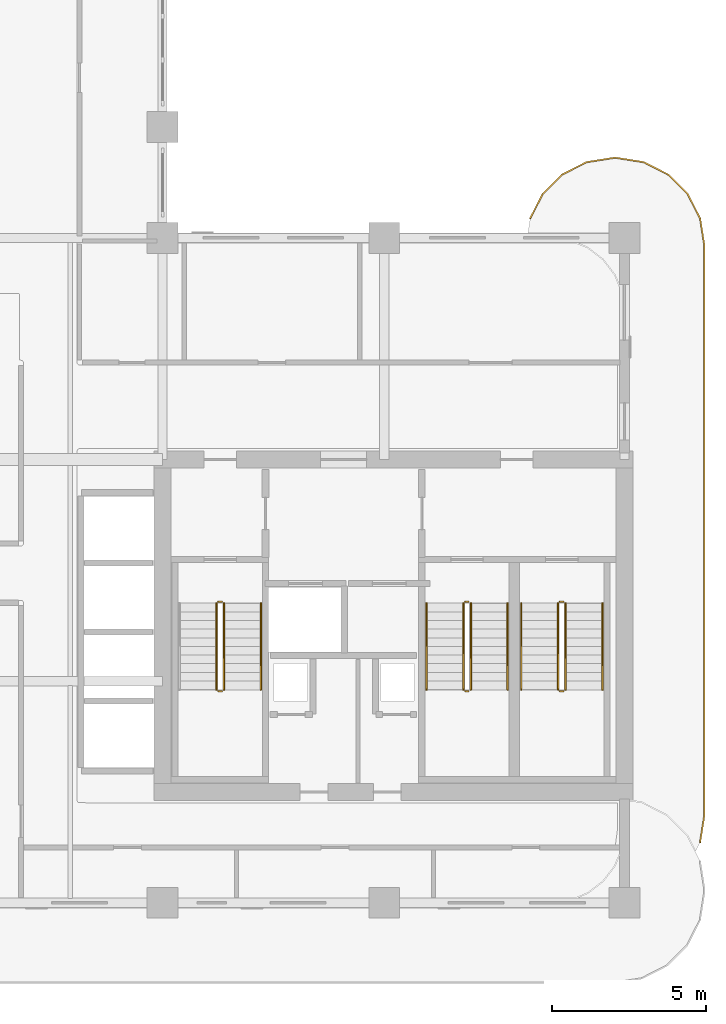
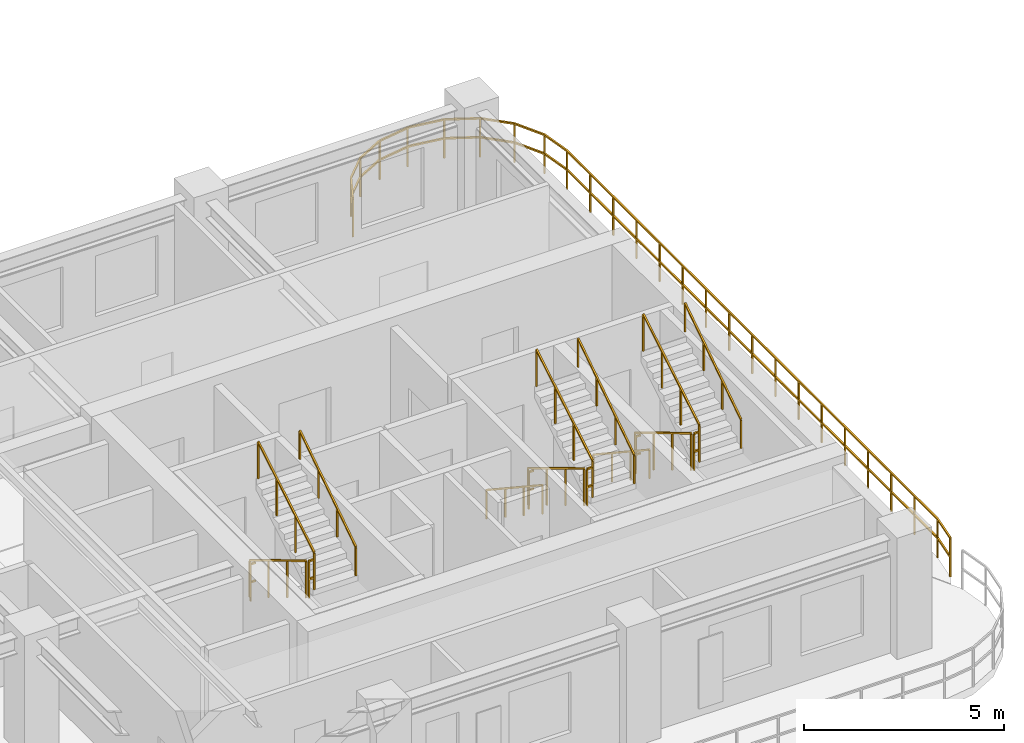
# One storey, part 19 of 20: 18 railings.
"""IFC4 building model written with IfcOpenShell, lengths in metres."""

import ifcopenshell
import ifcopenshell.guid

model = None  # the IFC model being written
_history = None  # IfcOwnerHistory: only IFC2X3 demands one
_inside = {}  # id of a spatial element -> (the spatial element, [elements in it])
_under = {}  # id of a project, library or spatial element -> (it, [spatial elements below it])
_declared = {}  # id of a project -> (the project, [libraries it declares])
_typed = {}  # id of a type object -> (the type object, [elements of that type])
_made_of = {}  # id of a material, layer set ... -> (it, [elements and type objects made of it])


def new_model(schema):
    """Start an empty IFC model of exactly this schema.

    Asked for "IFC4X3", IfcOpenShell would pick the latest addendum, in which some entities
    have other attributes; the version numbers below select the first issue.
    IFC2X3 requires an IfcOwnerHistory on every rooted entity: one is made here for all.
    """
    global model, _history
    if schema == "IFC4X3":
        model = ifcopenshell.file(schema_version=(4, 3, 0, 0))
    else:
        model = ifcopenshell.file(schema=schema)
    _inside.clear()
    _under.clear()
    _declared.clear()
    _typed.clear()
    _made_of.clear()
    _history = None
    if model.schema == "IFC2X3":
        org = make("IfcOrganization", Name="unknown")
        user = make(
            "IfcPersonAndOrganization",
            ThePerson=make("IfcPerson", FamilyName="unknown"),
            TheOrganization=org,
        )
        app = make(
            "IfcApplication",
            ApplicationDeveloper=org,
            Version="unknown",
            ApplicationFullName="unknown",
            ApplicationIdentifier="unknown",
        )
        _history = make(
            "IfcOwnerHistory",
            OwningUser=user,
            OwningApplication=app,
            ChangeAction="ADDED",
            CreationDate=0,
        )
    return model


def make(cls, **values):
    """One entity of the class cls with the attributes given. An attribute that is None is left unset."""
    return model.create_entity(
        cls, **{name: value for name, value in values.items() if value is not None}
    )


def rooted(cls, **values):
    """An entity with a GlobalId (a new one), such as an element, a storey or a relation."""
    return make(cls, GlobalId=ifcopenshell.guid.new(), OwnerHistory=_history, **values)


def si_unit(unit_type, name, prefix=None):
    """IfcSIUnit, for example si_unit("LENGTHUNIT", "METRE", prefix="MILLI")."""
    return make("IfcSIUnit", UnitType=unit_type, Prefix=prefix, Name=name)


def derived_unit(unit_type, elements):
    """IfcDerivedUnit: a product of units, each with its exponent."""
    return make(
        "IfcDerivedUnit",
        Elements=[
            make("IfcDerivedUnitElement", Unit=unit, Exponent=power)
            for unit, power in elements
        ],
        UnitType=unit_type,
    )


def assignment(units):
    """IfcUnitAssignment: the units of a project."""
    return None if units is None else make("IfcUnitAssignment", Units=units)


def point(xyz):
    """IfcCartesianPoint."""
    return None if xyz is None else make("IfcCartesianPoint", Coordinates=xyz)


def direction(xyz):
    """IfcDirection."""
    return None if xyz is None else make("IfcDirection", DirectionRatios=xyz)


def frame(location, z_axis=None, x_axis=None):
    """IfcAxis2Placement3D, a coordinate frame: its origin and axes. An axis left out is left unset."""
    return make(
        "IfcAxis2Placement3D",
        Location=point(location),
        Axis=direction(z_axis),
        RefDirection=direction(x_axis),
    )


def frame_2d(location, x_axis=None):
    """IfcAxis2Placement2D, a coordinate frame in the plane: its origin and x axis."""
    return make(
        "IfcAxis2Placement2D", Location=point(location), RefDirection=direction(x_axis)
    )


def origin():
    """The frame at (0, 0, 0) with its axes left unset."""
    return frame((0.0, 0.0, 0.0))


def origin_2d():
    """The frame at (0, 0) in the plane with its x axis left unset."""
    return frame_2d((0.0, 0.0))


def place(relative_to, where):
    """IfcLocalPlacement: puts the frame where relative to a parent placement (None: the world)."""
    return make(
        "IfcLocalPlacement", PlacementRelTo=relative_to, RelativePlacement=where
    )


def context(
    kind, dimensions, precision=None, world=None, true_north=None, identifier=None
):
    """IfcGeometricRepresentationContext, for example the 3D "Model" context."""
    return make(
        "IfcGeometricRepresentationContext",
        ContextIdentifier=identifier,
        ContextType=kind,
        CoordinateSpaceDimension=dimensions,
        Precision=precision,
        WorldCoordinateSystem=world,
        TrueNorth=true_north,
    )


def subcontext(parent, identifier, kind, view, scale=None):
    """IfcGeometricRepresentationSubContext, for example "Body" below "Model"."""
    return make(
        "IfcGeometricRepresentationSubContext",
        ContextIdentifier=identifier,
        ContextType=kind,
        ParentContext=parent,
        TargetScale=scale,
        TargetView=view,
    )


def project(units=None, contexts=None):
    """IfcProject with its units and contexts."""
    return rooted(
        "IfcProject",
        Name="project",
        RepresentationContexts=contexts,
        UnitsInContext=assignment(units),
    )


def spatial(cls, under=None, at=None, **own):
    """A site, building, storey or space (cls), placed at a placement, below another one or the project."""
    s = rooted(cls, ObjectPlacement=at, **own)
    if under is not None:
        _under.setdefault(under.id(), (under, []))[1].append(s)
    return s


def profile(cls, at=None, kind="AREA", **sizes):
    """A parametric profile (cls). Its sizes go by their IFC names, for example OverallWidth=200.0."""
    return make(cls, ProfileType=kind, Position=at, **sizes)


def rectangle(**sizes):
    """IfcRectangleProfileDef."""
    return profile("IfcRectangleProfileDef", **sizes)


def extrude(swept, where, along, depth):
    """IfcExtrudedAreaSolid: the profile swept, set in the frame where, extruded along a direction by depth."""
    return make(
        "IfcExtrudedAreaSolid",
        SweptArea=swept,
        Position=where,
        ExtrudedDirection=direction(along),
        Depth=depth,
    )


def shape(context_of_items, identifier, shape_type, items):
    """IfcShapeRepresentation: the items that make up one representation, for example the "Body"."""
    return make(
        "IfcShapeRepresentation",
        ContextOfItems=context_of_items,
        RepresentationIdentifier=identifier,
        RepresentationType=shape_type,
        Items=items,
    )


def material(Name=None, Category=None):
    """IfcMaterial."""
    return make("IfcMaterial", Name=Name, Category=Category)


def made_of(thing, what):
    """Note that an element or type object is made of a material, layer set ...; save() writes the relation."""
    if what is not None:
        _made_of.setdefault(what.id(), (what, []))[1].append(thing)
    return thing


def type_object(cls, material=None, **own):
    """A type object (cls), such as IfcWallType, which elements share."""
    return made_of(rooted(cls, **own), material)


def element(
    cls,
    number,
    at=None,
    inside=None,
    cuts=None,
    type_object=None,
    material=None,
    context=None,
    identifier="Body",
    shape_type=None,
    held_by="IfcProductDefinitionShape",
    body=None,
    shapes=None,
    **own,
):
    """One element of the class cls, such as IfcWall. Its Tag is "e" and its number.

    at: its placement. inside: the storey or other place that contains it. cuts: it is an
    opening in that element (IfcRelVoidsElement). A single representation is given by context,
    identifier, shape_type and body (its items); several are given by shapes. held_by: the class
    of the entity that holds the representations. save() writes the other relations.
    """
    e = rooted(cls, Tag="e%d" % number, ObjectPlacement=at, **own)
    if body is not None:
        shapes = [shape(context, identifier, shape_type, body)]
    if shapes is not None:
        e.Representation = make(held_by, Representations=shapes)
    if inside is not None:
        _inside.setdefault(inside.id(), (inside, []))[1].append(e)
    if cuts is not None:
        rooted(
            "IfcRelVoidsElement", RelatingBuildingElement=cuts, RelatedOpeningElement=e
        )
    if type_object is not None:
        _typed.setdefault(type_object.id(), (type_object, []))[1].append(e)
    return made_of(e, material)


def aggregate(whole, parts):
    """IfcRelAggregates: a whole, such as a stair, and the parts it consists of."""
    return rooted("IfcRelAggregates", RelatingObject=whole, RelatedObjects=parts)


def save(model, path):
    """Write the relations noted so far, then the file.

    IfcRelAggregates (storeys below a building ...), IfcRelContainedInSpatialStructure (elements
    in a storey), IfcRelDefinesByType, IfcRelAssociatesMaterial and IfcRelDeclares: one each for
    every whole, place, type object, material and project.
    """
    for whole, parts in _under.values():
        aggregate(whole, parts)
    for where, things in _inside.values():
        rooted(
            "IfcRelContainedInSpatialStructure",
            RelatedElements=things,
            RelatingStructure=where,
        )
    for kind, things in _typed.values():
        rooted("IfcRelDefinesByType", RelatedObjects=things, RelatingType=kind)
    for what, things in _made_of.values():
        rooted("IfcRelAssociatesMaterial", RelatedObjects=things, RelatingMaterial=what)
    for by, libraries in _declared.values():
        rooted("IfcRelDeclares", RelatingContext=by, RelatedDefinitions=libraries)
    model.write(path)


model = new_model("IFC4")

# Units and contexts
model_context = context("Model", 3, precision=1e-05, world=origin(), true_north=direction((0.0, 1.0)))
body_context = subcontext(model_context, "Body", "Model", "MODEL_VIEW")
ifc_project = project(units=[si_unit("LENGTHUNIT", "METRE"), si_unit("AREAUNIT", "SQUARE_METRE"), si_unit("VOLUMEUNIT", "CUBIC_METRE"), si_unit("PLANEANGLEUNIT", "RADIAN"), si_unit("MASSUNIT", "GRAM", prefix="KILO"), si_unit("THERMODYNAMICTEMPERATUREUNIT", "KELVIN"), si_unit("POWERUNIT", "WATT"), derived_unit("THERMALTRANSMITTANCEUNIT", [(si_unit("POWERUNIT", "WATT"), 1), (si_unit("AREAUNIT", "SQUARE_METRE"), -1), (si_unit("THERMODYNAMICTEMPERATUREUNIT", "KELVIN"), -1)])], contexts=[model_context])

# Site, building, storey
site_placement = place(None, origin())
site = spatial("IfcSite", under=ifc_project, at=site_placement, CompositionType="ELEMENT")
building_placement = place(site_placement, origin())
building = spatial("IfcBuilding", under=site, at=building_placement, Name="Zahravan Archway Hotel and Residences", CompositionType="ELEMENT")
storey_placement = place(building_placement, frame((0.0, 0.0, 115.5)))
storey = spatial("IfcBuildingStorey", under=building, at=storey_placement, Name="L28", CompositionType="ELEMENT", Elevation=115.5)

# Railings
ifc_material_1 = material(Name="Bronze & Laminated Glass Balustrade", Category="glass")
railing_type_1 = type_object("IfcRailingType", Name="RL-BAL-1200", PredefinedType="BALUSTRADE", material=ifc_material_1)
railing_1_placement = place(storey_placement, frame((46.739501953125, 22.230712890625, 0.0)))
element("IfcRailing", 1, at=railing_1_placement, inside=storey, type_object=railing_type_1, Name="L28 Balustrade RL-SLB-BAL-L28-EA-1", PredefinedType="BALUSTRADE", context=body_context, shape_type="SweptSolid", body=[
    extrude(rectangle(XDim=0.048095703125, YDim=0.048095703125, at=origin_2d()), frame((0.0, 0.0, 1.17578125), z_axis=(0.453991409995, 0.891006060389, 0.0), x_axis=(-0.891006060389, 0.453991409995, 0.0)), (0.0, 0.0, 1.0), 0.8916015625),
    extrude(rectangle(XDim=0.048095703125, YDim=0.048095703125, at=origin_2d()), frame((0.0, 0.0, 0.60009765625), z_axis=(0.453991409995, 0.891006060389, 0.0), x_axis=(-0.891006060389, 0.453991409995, 0.0)), (0.0, 0.0, 1.0), 0.8916015625),
    extrude(rectangle(XDim=0.048095703125, YDim=0.048095703125, at=origin_2d()), frame((0.40478515625, 0.79443359375, 1.17578125), z_axis=(0.707106781187, 0.707106781187, 0.0), x_axis=(-0.707106781187, 0.707106781187, 0.0)), (0.0, 0.0, 1.0), 0.891845703125),
    extrude(rectangle(XDim=0.048095703125, YDim=0.048095703125, at=origin_2d()), frame((0.40478515625, 0.79443359375, 0.60009765625), z_axis=(0.707106781187, 0.707106781187, 0.0), x_axis=(-0.707106781187, 0.707106781187, 0.0)), (0.0, 0.0, 1.0), 0.891845703125),
    extrude(rectangle(XDim=0.048095703125, YDim=0.048095703125, at=origin_2d()), frame((1.035400390625, 1.425048828125, 1.17578125), z_axis=(0.891006060389, 0.453991409995, 0.0), x_axis=(-0.453991409995, 0.891006060389, 0.0)), (0.0, 0.0, 1.0), 0.8916015625),
    extrude(rectangle(XDim=0.048095703125, YDim=0.048095703125, at=origin_2d()), frame((1.035400390625, 1.425048828125, 0.60009765625), z_axis=(0.891006060389, 0.453991409995, 0.0), x_axis=(-0.453991409995, 0.891006060389, 0.0)), (0.0, 0.0, 1.0), 0.8916015625),
    extrude(rectangle(XDim=0.048095703125, YDim=0.048095703125, at=origin_2d()), frame((1.829833984375, 1.829833984375, 1.17578125), z_axis=(0.987700720307, 0.156356282588, 0.0), x_axis=(-0.156356282588, 0.987700720307, 0.0)), (0.0, 0.0, 1.0), 0.8916015625),
    extrude(rectangle(XDim=0.048095703125, YDim=0.048095703125, at=origin_2d()), frame((1.829833984375, 1.829833984375, 0.60009765625), z_axis=(0.987700720307, 0.156356282588, 0.0), x_axis=(-0.156356282588, 0.987700720307, 0.0)), (0.0, 0.0, 1.0), 0.8916015625),
    extrude(rectangle(XDim=0.048095703125, YDim=0.048095703125, at=origin_2d()), frame((2.71044921875, 1.96923828125, 1.17578125), z_axis=(1.0, 0.0, 0.0), x_axis=(0.0, 1.0, 0.0)), (0.0, 0.0, 1.0), 0.10009765625),
    extrude(rectangle(XDim=0.048095703125, YDim=0.048095703125, at=origin_2d()), frame((2.71044921875, 1.96923828125, 0.60009765625), z_axis=(1.0, 0.0, 0.0), x_axis=(0.0, 1.0, 0.0)), (0.0, 0.0, 1.0), 0.10009765625),
    extrude(rectangle(XDim=0.048095703125, YDim=0.048095703125, at=origin_2d()), frame((2.810546875, 1.96923828125, 1.17578125), z_axis=(0.987700720307, -0.156356282588, 0.0), x_axis=(0.156356282588, 0.987700720307, 0.0)), (0.0, 0.0, 1.0), 0.8916015625),
    extrude(rectangle(XDim=0.048095703125, YDim=0.048095703125, at=origin_2d()), frame((2.810546875, 1.96923828125, 0.60009765625), z_axis=(0.987700720307, -0.156356282588, 0.0), x_axis=(0.156356282588, 0.987700720307, 0.0)), (0.0, 0.0, 1.0), 0.8916015625),
    extrude(rectangle(XDim=0.048095703125, YDim=0.048095703125, at=origin_2d()), frame((3.691162109375, 1.829833984375, 1.17578125), z_axis=(0.891006060389, -0.453991409995, 0.0), x_axis=(0.453991409995, 0.891006060389, 0.0)), (0.0, 0.0, 1.0), 0.8916015625),
    extrude(rectangle(XDim=0.048095703125, YDim=0.048095703125, at=origin_2d()), frame((3.691162109375, 1.829833984375, 0.60009765625), z_axis=(0.891006060389, -0.453991409995, 0.0), x_axis=(0.453991409995, 0.891006060389, 0.0)), (0.0, 0.0, 1.0), 0.8916015625),
    extrude(rectangle(XDim=0.048095703125, YDim=0.048095703125, at=origin_2d()), frame((4.485595703125, 1.425048828125, 1.17578125), z_axis=(0.707106781187, -0.707106781187, 0.0), x_axis=(0.707106781187, 0.707106781187, 0.0)), (0.0, 0.0, 1.0), 0.891845703125),
    extrude(rectangle(XDim=0.048095703125, YDim=0.048095703125, at=origin_2d()), frame((4.485595703125, 1.425048828125, 0.60009765625), z_axis=(0.707106781187, -0.707106781187, 0.0), x_axis=(0.707106781187, 0.707106781187, 0.0)), (0.0, 0.0, 1.0), 0.891845703125),
    extrude(rectangle(XDim=0.048095703125, YDim=0.048095703125, at=origin_2d()), frame((5.1162109375, 0.79443359375, 1.17578125), z_axis=(0.453991409995, -0.891006060389, 0.0), x_axis=(0.891006060389, 0.453991409995, 0.0)), (0.0, 0.0, 1.0), 0.8916015625),
    extrude(rectangle(XDim=0.048095703125, YDim=0.048095703125, at=origin_2d()), frame((5.1162109375, 0.79443359375, 0.60009765625), z_axis=(0.453991409995, -0.891006060389, 0.0), x_axis=(0.891006060389, 0.453991409995, 0.0)), (0.0, 0.0, 1.0), 0.8916015625),
    extrude(rectangle(XDim=0.048095703125, YDim=0.048095703125, at=origin_2d()), frame((5.52099609375, 0.0, 1.17578125), z_axis=(0.156356282588, -0.987700720307, 0.0), x_axis=(0.987700720307, 0.156356282588, 0.0)), (0.0, 0.0, 1.0), 0.8916015625),
    extrude(rectangle(XDim=0.048095703125, YDim=0.048095703125, at=origin_2d()), frame((5.52099609375, 0.0, 0.60009765625), z_axis=(0.156356282588, -0.987700720307, 0.0), x_axis=(0.987700720307, 0.156356282588, 0.0)), (0.0, 0.0, 1.0), 0.8916015625),
    extrude(rectangle(XDim=0.048095703125, YDim=0.048095703125, at=origin_2d()), frame((5.660400390625, -0.880615234375, 1.17578125), z_axis=(0.0, -1.0, 0.0), x_axis=(1.0, 0.0, 0.0)), (0.0, 0.0, 1.0), 18.5),
    extrude(rectangle(XDim=0.048095703125, YDim=0.048095703125, at=origin_2d()), frame((5.660400390625, -0.880615234375, 0.60009765625), z_axis=(0.0, -1.0, 0.0), x_axis=(1.0, 0.0, 0.0)), (0.0, 0.0, 1.0), 18.5),
    extrude(rectangle(XDim=0.048095703125, YDim=0.048095703125, at=origin_2d()), frame((5.660400390625, -19.380615234375, 1.17578125), z_axis=(-0.156314005608, -0.987707411965, 0.0), x_axis=(0.987707411965, -0.156314005608, 0.0)), (0.0, 0.0, 1.0), 0.891845703125),
    extrude(rectangle(XDim=0.048095703125, YDim=0.048095703125, at=origin_2d()), frame((5.660400390625, -19.380615234375, 0.60009765625), z_axis=(-0.156314005608, -0.987707411965, 0.0), x_axis=(0.987707411965, -0.156314005608, 0.0)), (0.0, 0.0, 1.0), 0.891845703125),
    extrude(rectangle(XDim=0.0419921875, YDim=0.0419921875, at=origin_2d()), origin(), (0.0, 0.0, 1.0), 1.15185546875),
    extrude(rectangle(XDim=0.0419921875, YDim=0.0419921875, at=origin_2d()), frame((0.40478515625, 0.79443359375, 0.0)), (0.0, 0.0, 1.0), 1.15185546875),
    extrude(rectangle(XDim=0.0419921875, YDim=0.0419921875, at=origin_2d()), frame((1.035400390625, 1.425048828125, 0.0)), (0.0, 0.0, 1.0), 1.15185546875),
    extrude(rectangle(XDim=0.0419921875, YDim=0.0419921875, at=origin_2d()), frame((1.829833984375, 1.829833984375, 0.0)), (0.0, 0.0, 1.0), 1.15185546875),
    extrude(rectangle(XDim=0.0419921875, YDim=0.0419921875, at=origin_2d()), frame((2.71044921875, 1.96923828125, 0.0)), (0.0, 0.0, 1.0), 1.15185546875),
    extrude(rectangle(XDim=0.0419921875, YDim=0.0419921875, at=origin_2d()), frame((3.691162109375, 1.829833984375, 0.0)), (0.0, 0.0, 1.0), 1.15185546875),
    extrude(rectangle(XDim=0.0419921875, YDim=0.0419921875, at=origin_2d()), frame((4.485595703125, 1.425048828125, 0.0)), (0.0, 0.0, 1.0), 1.15185546875),
    extrude(rectangle(XDim=0.0419921875, YDim=0.0419921875, at=origin_2d()), frame((5.1162109375, 0.79443359375, 0.0)), (0.0, 0.0, 1.0), 1.15185546875),
    extrude(rectangle(XDim=0.0419921875, YDim=0.0419921875, at=origin_2d()), frame((5.52099609375, 0.0, 0.0)), (0.0, 0.0, 1.0), 1.15185546875),
    extrude(rectangle(XDim=0.0419921875, YDim=0.0419921875, at=origin_2d()), frame((5.660400390625, -0.880615234375, 0.0)), (0.0, 0.0, 1.0), 1.15185546875),
    extrude(rectangle(XDim=0.0419921875, YDim=0.0419921875, at=origin_2d()), frame((5.660400390625, -2.036865234375, 0.0)), (0.0, 0.0, 1.0), 1.15185546875),
    extrude(rectangle(XDim=0.0419921875, YDim=0.0419921875, at=origin_2d()), frame((5.660400390625, -3.193115234375, 0.0)), (0.0, 0.0, 1.0), 1.15185546875),
    extrude(rectangle(XDim=0.0419921875, YDim=0.0419921875, at=origin_2d()), frame((5.660400390625, -4.349365234375, 0.0)), (0.0, 0.0, 1.0), 1.15185546875),
    extrude(rectangle(XDim=0.0419921875, YDim=0.0419921875, at=origin_2d()), frame((5.660400390625, -5.505615234375, 0.0)), (0.0, 0.0, 1.0), 1.15185546875),
    extrude(rectangle(XDim=0.0419921875, YDim=0.0419921875, at=origin_2d()), frame((5.660400390625, -6.661865234375, 0.0)), (0.0, 0.0, 1.0), 1.15185546875),
    extrude(rectangle(XDim=0.0419921875, YDim=0.0419921875, at=origin_2d()), frame((5.660400390625, -7.818115234375, 0.0)), (0.0, 0.0, 1.0), 1.15185546875),
    extrude(rectangle(XDim=0.0419921875, YDim=0.0419921875, at=origin_2d()), frame((5.660400390625, -8.974365234375, 0.0)), (0.0, 0.0, 1.0), 1.15185546875),
    extrude(rectangle(XDim=0.0419921875, YDim=0.0419921875, at=origin_2d()), frame((5.660400390625, -10.130615234375, 0.0)), (0.0, 0.0, 1.0), 1.15185546875),
    extrude(rectangle(XDim=0.0419921875, YDim=0.0419921875, at=origin_2d()), frame((5.660400390625, -11.286865234375, 0.0)), (0.0, 0.0, 1.0), 1.15185546875),
    extrude(rectangle(XDim=0.0419921875, YDim=0.0419921875, at=origin_2d()), frame((5.660400390625, -12.443115234375, 0.0)), (0.0, 0.0, 1.0), 1.15185546875),
    extrude(rectangle(XDim=0.0419921875, YDim=0.0419921875, at=origin_2d()), frame((5.660400390625, -13.599365234375, 0.0)), (0.0, 0.0, 1.0), 1.15185546875),
    extrude(rectangle(XDim=0.0419921875, YDim=0.0419921875, at=origin_2d()), frame((5.660400390625, -14.755615234375, 0.0)), (0.0, 0.0, 1.0), 1.15185546875),
    extrude(rectangle(XDim=0.0419921875, YDim=0.0419921875, at=origin_2d()), frame((5.660400390625, -15.911865234375, 0.0)), (0.0, 0.0, 1.0), 1.15185546875),
    extrude(rectangle(XDim=0.0419921875, YDim=0.0419921875, at=origin_2d()), frame((5.660400390625, -17.068115234375, 0.0)), (0.0, 0.0, 1.0), 1.15185546875),
    extrude(rectangle(XDim=0.0419921875, YDim=0.0419921875, at=origin_2d()), frame((5.660400390625, -18.224365234375, 0.0)), (0.0, 0.0, 1.0), 1.15185546875),
    extrude(rectangle(XDim=0.0419921875, YDim=0.0419921875, at=origin_2d()), frame((5.660400390625, -19.380615234375, 0.0)), (0.0, 0.0, 1.0), 1.15185546875),
    extrude(rectangle(XDim=0.0419921875, YDim=0.0419921875, at=origin_2d()), frame((5.52099609375, -20.261474609375, 0.0)), (0.0, 0.0, 1.0), 1.15185546875),
])
ifc_material_2 = material(Name="Painted Tubular Steel", Category="steel")
railing_type_2 = type_object("IfcRailingType", Name="RL-STG-1150", PredefinedType="GUARDRAIL", material=ifc_material_2)
railing_2_placement = place(storey_placement, frame((36.550048828125, 9.72998046875, 0.168212890625)))
element("IfcRailing", 2, at=railing_2_placement, inside=storey, type_object=railing_type_2, Name="L28 ST-A1 stair guard 1", PredefinedType="GUARDRAIL", context=body_context, shape_type="SweptSolid", body=[
    extrude(rectangle(XDim=0.048095703125, YDim=0.048095703125, at=origin_2d()), frame((0.0, 0.0, 1.1259765625), z_axis=(0.0, -0.857242210791, 0.514913383045), x_axis=(1.0, 0.0, 0.0)), (0.0, 0.0, 1.0), 3.266357421875),
    extrude(rectangle(XDim=0.0419921875, YDim=0.0419921875, at=origin_2d()), origin(), (0.0, 0.0, 1.0), 1.101806640625),
    extrude(rectangle(XDim=0.0419921875, YDim=0.0419921875, at=origin_2d()), frame((0.0, -0.933349609375, 0.560546875)), (0.0, 0.0, 1.0), 1.101806640625),
    extrude(rectangle(XDim=0.0419921875, YDim=0.0419921875, at=origin_2d()), frame((0.0, -1.86669921875, 1.121337890625)), (0.0, 0.0, 1.0), 1.101806640625),
    extrude(rectangle(XDim=0.0419921875, YDim=0.0419921875, at=origin_2d()), frame((0.0, -2.800048828125, 1.681884765625)), (0.0, 0.0, 1.0), 1.101806640625),
])
railing_3_placement = place(storey_placement, frame((36.60009765625, 6.8798828125, 1.85009765625)))
element("IfcRailing", 3, at=railing_3_placement, inside=storey, type_object=railing_type_2, Name="L28 ST-A1 stair guard 2", PredefinedType="GUARDRAIL", context=body_context, shape_type="SweptSolid", body=[
    extrude(rectangle(XDim=0.048095703125, YDim=0.048095703125, at=origin_2d()), frame((0.0, 0.0, 1.1259765625), z_axis=(1.0, 0.0, 0.0), x_axis=(0.0, 1.0, 0.0)), (0.0, 0.0, 1.0), 0.139892578125),
    extrude(rectangle(XDim=0.048095703125, YDim=0.048095703125, at=origin_2d()), frame((0.0, 0.0, 0.574951171875), z_axis=(1.0, 0.0, 0.0), x_axis=(0.0, 1.0, 0.0)), (0.0, 0.0, 1.0), 0.139892578125),
    extrude(rectangle(XDim=0.0419921875, YDim=0.0419921875, at=origin_2d()), origin(), (0.0, 0.0, 1.0), 1.101806640625),
])
railing_4_placement = place(storey_placement, frame((36.7900390625, 6.929931640625, 2.01806640625)))
element("IfcRailing", 4, at=railing_4_placement, inside=storey, type_object=railing_type_2, Name="L28 ST-A1 stair guard 3", PredefinedType="GUARDRAIL", context=body_context, shape_type="SweptSolid", body=[
    extrude(rectangle(XDim=0.048095703125, YDim=0.048095703125, at=origin_2d()), frame((0.0, 0.0, 1.1259765625), z_axis=(0.0, 0.857242210791, 0.514913383045), x_axis=(-1.0, 0.0, 0.0)), (0.0, 0.0, 1.0), 3.266357421875),
    extrude(rectangle(XDim=0.0419921875, YDim=0.0419921875, at=origin_2d()), origin(), (0.0, 0.0, 1.0), 1.101806640625),
    extrude(rectangle(XDim=0.0419921875, YDim=0.0419921875, at=origin_2d()), frame((0.0, 0.933349609375, 0.560546875)), (0.0, 0.0, 1.0), 1.101806640625),
    extrude(rectangle(XDim=0.0419921875, YDim=0.0419921875, at=origin_2d()), frame((0.0, 1.86669921875, 1.121337890625)), (0.0, 0.0, 1.0), 1.101806640625),
    extrude(rectangle(XDim=0.0419921875, YDim=0.0419921875, at=origin_2d()), frame((0.0, 2.800048828125, 1.681884765625)), (0.0, 0.0, 1.0), 1.101806640625),
])
railing_5_placement = place(storey_placement, frame((36.60009765625, 9.780029296875, 0.0)))
element("IfcRailing", 5, at=railing_5_placement, inside=storey, type_object=railing_type_2, Name="L28 ST-A1 stair guard 4", PredefinedType="GUARDRAIL", context=body_context, shape_type="SweptSolid", body=[
    extrude(rectangle(XDim=0.048095703125, YDim=0.048095703125, at=origin_2d()), frame((0.0, 0.0, 1.1259765625), z_axis=(1.0, 0.0, 0.0), x_axis=(0.0, 1.0, 0.0)), (0.0, 0.0, 1.0), 0.139892578125),
    extrude(rectangle(XDim=0.048095703125, YDim=0.048095703125, at=origin_2d()), frame((0.0, 0.0, 0.574951171875), z_axis=(1.0, 0.0, 0.0), x_axis=(0.0, 1.0, 0.0)), (0.0, 0.0, 1.0), 0.139892578125),
    extrude(rectangle(XDim=0.0419921875, YDim=0.0419921875, at=origin_2d()), origin(), (0.0, 0.0, 1.0), 1.101806640625),
])
railing_6_placement = place(storey_placement, frame((44.570068359375, 9.72998046875, 0.168212890625)))
element("IfcRailing", 6, at=railing_6_placement, inside=storey, type_object=railing_type_2, Name="L28 ST-A2 stair guard 1", PredefinedType="GUARDRAIL", context=body_context, shape_type="SweptSolid", body=[
    extrude(rectangle(XDim=0.048095703125, YDim=0.048095703125, at=origin_2d()), frame((0.0, 0.0, 1.1259765625), z_axis=(0.0, -0.857242210791, 0.514913383045), x_axis=(1.0, 0.0, 0.0)), (0.0, 0.0, 1.0), 3.266357421875),
    extrude(rectangle(XDim=0.0419921875, YDim=0.0419921875, at=origin_2d()), origin(), (0.0, 0.0, 1.0), 1.101806640625),
    extrude(rectangle(XDim=0.0419921875, YDim=0.0419921875, at=origin_2d()), frame((0.0, -0.933349609375, 0.560546875)), (0.0, 0.0, 1.0), 1.101806640625),
    extrude(rectangle(XDim=0.0419921875, YDim=0.0419921875, at=origin_2d()), frame((0.0, -1.86669921875, 1.121337890625)), (0.0, 0.0, 1.0), 1.101806640625),
    extrude(rectangle(XDim=0.0419921875, YDim=0.0419921875, at=origin_2d()), frame((0.0, -2.800048828125, 1.681884765625)), (0.0, 0.0, 1.0), 1.101806640625),
])
railing_7_placement = place(storey_placement, frame((44.6201171875, 6.8798828125, 1.85009765625)))
element("IfcRailing", 7, at=railing_7_placement, inside=storey, type_object=railing_type_2, Name="L28 ST-A2 stair guard 2", PredefinedType="GUARDRAIL", context=body_context, shape_type="SweptSolid", body=[
    extrude(rectangle(XDim=0.048095703125, YDim=0.048095703125, at=origin_2d()), frame((0.0, 0.0, 1.1259765625), z_axis=(1.0, 0.0, 0.0), x_axis=(0.0, 1.0, 0.0)), (0.0, 0.0, 1.0), 0.139892578125),
    extrude(rectangle(XDim=0.048095703125, YDim=0.048095703125, at=origin_2d()), frame((0.0, 0.0, 0.574951171875), z_axis=(1.0, 0.0, 0.0), x_axis=(0.0, 1.0, 0.0)), (0.0, 0.0, 1.0), 0.139892578125),
    extrude(rectangle(XDim=0.0419921875, YDim=0.0419921875, at=origin_2d()), origin(), (0.0, 0.0, 1.0), 1.101806640625),
])
railing_8_placement = place(storey_placement, frame((44.81005859375, 6.929931640625, 2.01806640625)))
element("IfcRailing", 8, at=railing_8_placement, inside=storey, type_object=railing_type_2, Name="L28 ST-A2 stair guard 3", PredefinedType="GUARDRAIL", context=body_context, shape_type="SweptSolid", body=[
    extrude(rectangle(XDim=0.048095703125, YDim=0.048095703125, at=origin_2d()), frame((0.0, 0.0, 1.1259765625), z_axis=(0.0, 0.857242210791, 0.514913383045), x_axis=(-1.0, 0.0, 0.0)), (0.0, 0.0, 1.0), 3.266357421875),
    extrude(rectangle(XDim=0.0419921875, YDim=0.0419921875, at=origin_2d()), origin(), (0.0, 0.0, 1.0), 1.101806640625),
    extrude(rectangle(XDim=0.0419921875, YDim=0.0419921875, at=origin_2d()), frame((0.0, 0.933349609375, 0.560546875)), (0.0, 0.0, 1.0), 1.101806640625),
    extrude(rectangle(XDim=0.0419921875, YDim=0.0419921875, at=origin_2d()), frame((0.0, 1.86669921875, 1.121337890625)), (0.0, 0.0, 1.0), 1.101806640625),
    extrude(rectangle(XDim=0.0419921875, YDim=0.0419921875, at=origin_2d()), frame((0.0, 2.800048828125, 1.681884765625)), (0.0, 0.0, 1.0), 1.101806640625),
])
railing_9_placement = place(storey_placement, frame((44.6201171875, 9.780029296875, 0.0)))
element("IfcRailing", 9, at=railing_9_placement, inside=storey, type_object=railing_type_2, Name="L28 ST-A2 stair guard 4", PredefinedType="GUARDRAIL", context=body_context, shape_type="SweptSolid", body=[
    extrude(rectangle(XDim=0.048095703125, YDim=0.048095703125, at=origin_2d()), frame((0.0, 0.0, 1.1259765625), z_axis=(1.0, 0.0, 0.0), x_axis=(0.0, 1.0, 0.0)), (0.0, 0.0, 1.0), 0.139892578125),
    extrude(rectangle(XDim=0.048095703125, YDim=0.048095703125, at=origin_2d()), frame((0.0, 0.0, 0.574951171875), z_axis=(1.0, 0.0, 0.0), x_axis=(0.0, 1.0, 0.0)), (0.0, 0.0, 1.0), 0.139892578125),
    extrude(rectangle(XDim=0.0419921875, YDim=0.0419921875, at=origin_2d()), origin(), (0.0, 0.0, 1.0), 1.101806640625),
])
railing_10_placement = place(storey_placement, frame((47.64990234375, 9.72998046875, 0.168212890625)))
element("IfcRailing", 10, at=railing_10_placement, inside=storey, type_object=railing_type_2, Name="L28 ST-A3 stair guard 1", PredefinedType="GUARDRAIL", context=body_context, shape_type="SweptSolid", body=[
    extrude(rectangle(XDim=0.048095703125, YDim=0.048095703125, at=origin_2d()), frame((0.0, 0.0, 1.1259765625), z_axis=(0.0, -0.857242210791, 0.514913383045), x_axis=(1.0, 0.0, 0.0)), (0.0, 0.0, 1.0), 3.266357421875),
    extrude(rectangle(XDim=0.0419921875, YDim=0.0419921875, at=origin_2d()), origin(), (0.0, 0.0, 1.0), 1.101806640625),
    extrude(rectangle(XDim=0.0419921875, YDim=0.0419921875, at=origin_2d()), frame((0.0, -0.933349609375, 0.560546875)), (0.0, 0.0, 1.0), 1.101806640625),
    extrude(rectangle(XDim=0.0419921875, YDim=0.0419921875, at=origin_2d()), frame((0.0, -1.86669921875, 1.121337890625)), (0.0, 0.0, 1.0), 1.101806640625),
    extrude(rectangle(XDim=0.0419921875, YDim=0.0419921875, at=origin_2d()), frame((0.0, -2.800048828125, 1.681884765625)), (0.0, 0.0, 1.0), 1.101806640625),
])
railing_11_placement = place(storey_placement, frame((47.699951171875, 6.8798828125, 1.85009765625)))
element("IfcRailing", 11, at=railing_11_placement, inside=storey, type_object=railing_type_2, Name="L28 ST-A3 stair guard 2", PredefinedType="GUARDRAIL", context=body_context, shape_type="SweptSolid", body=[
    extrude(rectangle(XDim=0.048095703125, YDim=0.048095703125, at=origin_2d()), frame((0.0, 0.0, 1.1259765625), z_axis=(1.0, 0.0, 0.0), x_axis=(0.0, 1.0, 0.0)), (0.0, 0.0, 1.0), 0.14013671875),
    extrude(rectangle(XDim=0.048095703125, YDim=0.048095703125, at=origin_2d()), frame((0.0, 0.0, 0.574951171875), z_axis=(1.0, 0.0, 0.0), x_axis=(0.0, 1.0, 0.0)), (0.0, 0.0, 1.0), 0.14013671875),
    extrude(rectangle(XDim=0.0419921875, YDim=0.0419921875, at=origin_2d()), origin(), (0.0, 0.0, 1.0), 1.101806640625),
])
railing_12_placement = place(storey_placement, frame((47.889892578125, 6.929931640625, 2.01806640625)))
element("IfcRailing", 12, at=railing_12_placement, inside=storey, type_object=railing_type_2, Name="L28 ST-A3 stair guard 3", PredefinedType="GUARDRAIL", context=body_context, shape_type="SweptSolid", body=[
    extrude(rectangle(XDim=0.048095703125, YDim=0.048095703125, at=origin_2d()), frame((0.0, 0.0, 1.1259765625), z_axis=(0.0, 0.857242210791, 0.514913383045), x_axis=(-1.0, 0.0, 0.0)), (0.0, 0.0, 1.0), 3.266357421875),
    extrude(rectangle(XDim=0.0419921875, YDim=0.0419921875, at=origin_2d()), origin(), (0.0, 0.0, 1.0), 1.101806640625),
    extrude(rectangle(XDim=0.0419921875, YDim=0.0419921875, at=origin_2d()), frame((0.0, 0.933349609375, 0.560546875)), (0.0, 0.0, 1.0), 1.101806640625),
    extrude(rectangle(XDim=0.0419921875, YDim=0.0419921875, at=origin_2d()), frame((0.0, 1.86669921875, 1.121337890625)), (0.0, 0.0, 1.0), 1.101806640625),
    extrude(rectangle(XDim=0.0419921875, YDim=0.0419921875, at=origin_2d()), frame((0.0, 2.800048828125, 1.681884765625)), (0.0, 0.0, 1.0), 1.101806640625),
])
railing_13_placement = place(storey_placement, frame((47.699951171875, 9.780029296875, 0.0)))
element("IfcRailing", 13, at=railing_13_placement, inside=storey, type_object=railing_type_2, Name="L28 ST-A3 stair guard 4", PredefinedType="GUARDRAIL", context=body_context, shape_type="SweptSolid", body=[
    extrude(rectangle(XDim=0.048095703125, YDim=0.048095703125, at=origin_2d()), frame((0.0, 0.0, 1.1259765625), z_axis=(1.0, 0.0, 0.0), x_axis=(0.0, 1.0, 0.0)), (0.0, 0.0, 1.0), 0.14013671875),
    extrude(rectangle(XDim=0.048095703125, YDim=0.048095703125, at=origin_2d()), frame((0.0, 0.0, 0.574951171875), z_axis=(1.0, 0.0, 0.0), x_axis=(0.0, 1.0, 0.0)), (0.0, 0.0, 1.0), 0.14013671875),
    extrude(rectangle(XDim=0.0419921875, YDim=0.0419921875, at=origin_2d()), origin(), (0.0, 0.0, 1.0), 1.101806640625),
])
ifc_material_3 = material(Name="Brushed Stainless Steel", Category="steel")
railing_type_3 = type_object("IfcRailingType", Name="RL-STH-900", PredefinedType="HANDRAIL", material=ifc_material_3)
railing_14_placement = place(storey_placement, frame((37.989990234375, 6.929931640625, 2.01806640625)))
element("IfcRailing", 14, at=railing_14_placement, inside=storey, type_object=railing_type_3, Name="L28 ST-A1 stair handrail 2", PredefinedType="HANDRAIL", context=body_context, shape_type="SweptSolid", body=[
    extrude(rectangle(XDim=0.048095703125, YDim=0.048095703125, at=origin_2d()), frame((0.0, 0.0, 0.8759765625), z_axis=(0.0, 0.834326358476, 0.551270829586), x_axis=(-1.0, 0.0, 0.0)), (0.0, 0.0, 1.0), 3.35595703125),
    extrude(rectangle(XDim=0.0419921875, YDim=0.0419921875, at=origin_2d()), origin(), (0.0, 0.0, 1.0), 0.851806640625),
    extrude(rectangle(XDim=0.0419921875, YDim=0.0419921875, at=origin_2d()), frame((0.0, 0.933349609375, 0.61669921875)), (0.0, 0.0, 1.0), 0.851806640625),
    extrude(rectangle(XDim=0.0419921875, YDim=0.0419921875, at=origin_2d()), frame((0.0, 1.86669921875, 1.2333984375)), (0.0, 0.0, 1.0), 0.851806640625),
    extrude(rectangle(XDim=0.0419921875, YDim=0.0419921875, at=origin_2d()), frame((0.0, 2.800048828125, 1.85009765625)), (0.0, 0.0, 1.0), 0.851806640625),
])
railing_15_placement = place(storey_placement, frame((43.3701171875, 9.72998046875, 0.168212890625)))
element("IfcRailing", 15, at=railing_15_placement, inside=storey, type_object=railing_type_3, Name="L28 ST-A2 stair handrail 1", PredefinedType="HANDRAIL", context=body_context, shape_type="SweptSolid", body=[
    extrude(rectangle(XDim=0.048095703125, YDim=0.048095703125, at=origin_2d()), frame((0.0, 0.0, 0.8759765625), z_axis=(0.0, -0.83435981716, 0.551220187865), x_axis=(1.0, 0.0, 0.0)), (0.0, 0.0, 1.0), 3.35595703125),
    extrude(rectangle(XDim=0.0419921875, YDim=0.0419921875, at=origin_2d()), origin(), (0.0, 0.0, 1.0), 0.851806640625),
    extrude(rectangle(XDim=0.0419921875, YDim=0.0419921875, at=origin_2d()), frame((0.0, -0.933349609375, 0.61669921875)), (0.0, 0.0, 1.0), 0.851806640625),
    extrude(rectangle(XDim=0.0419921875, YDim=0.0419921875, at=origin_2d()), frame((0.0, -1.86669921875, 1.233154296875)), (0.0, 0.0, 1.0), 0.851806640625),
    extrude(rectangle(XDim=0.0419921875, YDim=0.0419921875, at=origin_2d()), frame((0.0, -2.800048828125, 1.849853515625)), (0.0, 0.0, 1.0), 0.851806640625),
])
railing_16_placement = place(storey_placement, frame((46.010009765625, 6.929931640625, 2.01806640625)))
element("IfcRailing", 16, at=railing_16_placement, inside=storey, type_object=railing_type_3, Name="L28 ST-A2 stair handrail 2", PredefinedType="HANDRAIL", context=body_context, shape_type="SweptSolid", body=[
    extrude(rectangle(XDim=0.048095703125, YDim=0.048095703125, at=origin_2d()), frame((0.0, 0.0, 0.8759765625), z_axis=(0.0, 0.834326358476, 0.551270829586), x_axis=(-1.0, 0.0, 0.0)), (0.0, 0.0, 1.0), 3.35595703125),
    extrude(rectangle(XDim=0.0419921875, YDim=0.0419921875, at=origin_2d()), origin(), (0.0, 0.0, 1.0), 0.851806640625),
    extrude(rectangle(XDim=0.0419921875, YDim=0.0419921875, at=origin_2d()), frame((0.0, 0.933349609375, 0.61669921875)), (0.0, 0.0, 1.0), 0.851806640625),
    extrude(rectangle(XDim=0.0419921875, YDim=0.0419921875, at=origin_2d()), frame((0.0, 1.86669921875, 1.2333984375)), (0.0, 0.0, 1.0), 0.851806640625),
    extrude(rectangle(XDim=0.0419921875, YDim=0.0419921875, at=origin_2d()), frame((0.0, 2.800048828125, 1.85009765625)), (0.0, 0.0, 1.0), 0.851806640625),
])
railing_17_placement = place(storey_placement, frame((46.449951171875, 9.72998046875, 0.168212890625)))
element("IfcRailing", 17, at=railing_17_placement, inside=storey, type_object=railing_type_3, Name="L28 ST-A3 stair handrail 1", PredefinedType="HANDRAIL", context=body_context, shape_type="SweptSolid", body=[
    extrude(rectangle(XDim=0.048095703125, YDim=0.048095703125, at=origin_2d()), frame((0.0, 0.0, 0.8759765625), z_axis=(0.0, -0.83435981716, 0.551220187865), x_axis=(1.0, 0.0, 0.0)), (0.0, 0.0, 1.0), 3.35595703125),
    extrude(rectangle(XDim=0.0419921875, YDim=0.0419921875, at=origin_2d()), origin(), (0.0, 0.0, 1.0), 0.851806640625),
    extrude(rectangle(XDim=0.0419921875, YDim=0.0419921875, at=origin_2d()), frame((0.0, -0.933349609375, 0.61669921875)), (0.0, 0.0, 1.0), 0.851806640625),
    extrude(rectangle(XDim=0.0419921875, YDim=0.0419921875, at=origin_2d()), frame((0.0, -1.86669921875, 1.233154296875)), (0.0, 0.0, 1.0), 0.851806640625),
    extrude(rectangle(XDim=0.0419921875, YDim=0.0419921875, at=origin_2d()), frame((0.0, -2.800048828125, 1.849853515625)), (0.0, 0.0, 1.0), 0.851806640625),
])
railing_18_placement = place(storey_placement, frame((49.090087890625, 6.929931640625, 2.01806640625)))
element("IfcRailing", 18, at=railing_18_placement, inside=storey, type_object=railing_type_3, Name="L28 ST-A3 stair handrail 2", PredefinedType="HANDRAIL", context=body_context, shape_type="SweptSolid", body=[
    extrude(rectangle(XDim=0.048095703125, YDim=0.048095703125, at=origin_2d()), frame((0.0, 0.0, 0.8759765625), z_axis=(0.0, 0.834326358476, 0.551270829586), x_axis=(-1.0, 0.0, 0.0)), (0.0, 0.0, 1.0), 3.35595703125),
    extrude(rectangle(XDim=0.0419921875, YDim=0.0419921875, at=origin_2d()), origin(), (0.0, 0.0, 1.0), 0.851806640625),
    extrude(rectangle(XDim=0.0419921875, YDim=0.0419921875, at=origin_2d()), frame((0.0, 0.933349609375, 0.61669921875)), (0.0, 0.0, 1.0), 0.851806640625),
    extrude(rectangle(XDim=0.0419921875, YDim=0.0419921875, at=origin_2d()), frame((0.0, 1.86669921875, 1.2333984375)), (0.0, 0.0, 1.0), 0.851806640625),
    extrude(rectangle(XDim=0.0419921875, YDim=0.0419921875, at=origin_2d()), frame((0.0, 2.800048828125, 1.85009765625)), (0.0, 0.0, 1.0), 0.851806640625),
])

save(model, "model.ifc")
